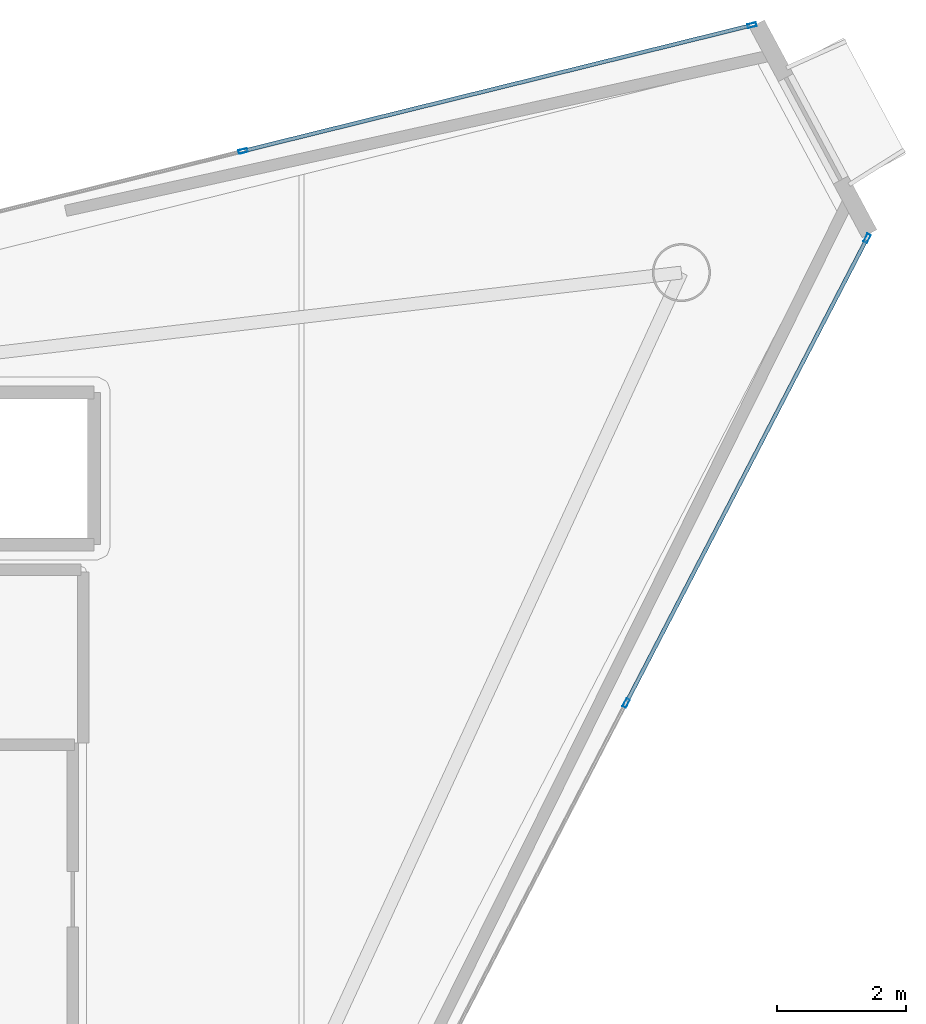
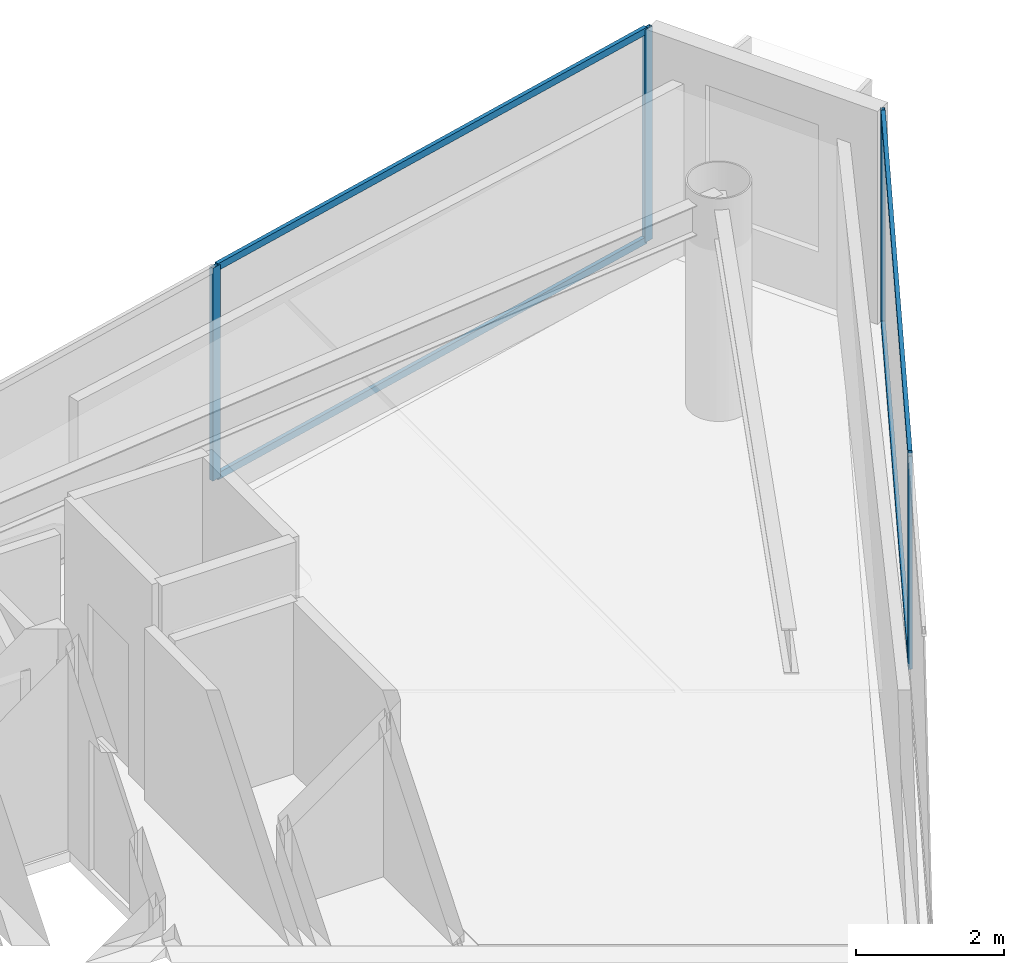
# One storey, part 16 of 21: 8 members, 2 elements without a shape of their own.
"""IFC4 building model written with IfcOpenShell, lengths in metres."""

from ifc_helpers import new_model, si_unit, direction, frame, origin, origin_2d, place, context, subcontext, project, spatial, hollow_rectangle, extrude, material, layer, layer_set, material_profile, profile_set, type_object, element, aggregate, save


model = new_model("IFC4")

# Units and contexts
model_context = context("Model", 3, precision=1e-05, world=origin(), true_north=direction((0.0, 1.0)))
body_context = subcontext(model_context, "Body", "Model", "MODEL_VIEW")
ifc_project = project(units=[si_unit("LENGTHUNIT", "METRE"), si_unit("AREAUNIT", "SQUARE_METRE"), si_unit("VOLUMEUNIT", "CUBIC_METRE"), si_unit("PLANEANGLEUNIT", "RADIAN"), si_unit("MASSUNIT", "GRAM", prefix="KILO")], contexts=[model_context])

# Site, building, storey
site_placement = place(None, origin())
site = spatial("IfcSite", under=ifc_project, at=site_placement, CompositionType="ELEMENT")
building_placement = place(site_placement, origin())
building = spatial("IfcBuilding", under=site, at=building_placement, Name="Qianvela Tower", CompositionType="ELEMENT")
storey_placement = place(building_placement, frame((0.0, 0.0, 310.199951171875)))
storey = spatial("IfcBuildingStorey", under=building, at=storey_placement, Name="L80", CompositionType="ELEMENT", Elevation=310.199951171875)

# Curtain wall, members
ifc_material_1 = material(Name="Anodised Architectural Aluminium and Low-E Glass", Category="aluminium")
ifc_layer = layer(ifc_material_1, 0.14990234375)
ifc_layer_set = layer_set([ifc_layer], Name="Anodised Architectural Aluminium and Low-E Glass")
curtain_wall_type = type_object("IfcCurtainWallType", Name="CW-COLIV-Z78", PredefinedType="USERDEFINED", material=ifc_layer_set)
curtain_wall_1_placement = place(storey_placement, origin())
curtain_wall_1 = element("IfcCurtainWall", 1, at=curtain_wall_1_placement, inside=storey, type_object=curtain_wall_type, Name="L80 CW-COLIV-Z78 Curtain Wall 02A", ObjectType="CURTAIN_WALL_SYSTEM", PredefinedType="USERDEFINED")
ifc_material_2 = material(Name="Anodised Architectural Aluminium 6063-T6", Category="aluminium")
ifc_material_profile_1 = material_profile(ifc_material_2, hollow_rectangle(XDim=0.06005859375, YDim=0.139892578125, WallThickness=0.00439453125, at=origin_2d()), Name="ALU-MULL-60x140")
ifc_profile_set_1 = profile_set([ifc_material_profile_1], Name="Anodised Architectural Aluminium 6063-T6")
member_type_1 = type_object("IfcMemberType", Name="CW-COLIV-Z78-MULL", PredefinedType="MULLION", material=ifc_profile_set_1)
member_1_placement = place(storey_placement, frame((53.740478515625, 40.966552734375, 0.0), z_axis=(0.0, 0.0, 1.0), x_axis=(0.240005754043, -0.970771465396, 0.0)))
member_1 = element("IfcMember", 2, at=member_1_placement, type_object=member_type_1, Name="CW-6 mullion 1", PredefinedType="MULLION", context=body_context, shape_type="SweptSolid", body=[
    extrude(hollow_rectangle(XDim=0.06005859375, YDim=0.139892578125, WallThickness=0.00439453125, at=origin_2d()), origin(), (0.0, 0.0, 1.0), 3.52001953125),
])
member_2_placement = place(storey_placement, frame((45.85791015625, 39.017822265625, 0.0), z_axis=(0.0, 0.0, 1.0), x_axis=(0.240005754043, -0.970771465396, 0.0)))
member_2 = element("IfcMember", 3, at=member_2_placement, type_object=member_type_1, Name="CW-6 mullion 2", PredefinedType="MULLION", context=body_context, shape_type="SweptSolid", body=[
    extrude(hollow_rectangle(XDim=0.06005859375, YDim=0.139892578125, WallThickness=0.00439453125, at=origin_2d()), origin(), (0.0, 0.0, 1.0), 3.52001953125),
])

curtain_wall_2_placement = place(storey_placement, origin())
curtain_wall_2 = element("IfcCurtainWall", 4, at=curtain_wall_2_placement, inside=storey, type_object=curtain_wall_type, Name="L80 CW-COLIV-Z78 Curtain Wall 06C", ObjectType="CURTAIN_WALL_SYSTEM", PredefinedType="USERDEFINED")
member_3_placement = place(storey_placement, frame((51.791748046875, 30.467041015625, 0.0), z_axis=(0.0, 0.0, 1.0), x_axis=(-0.887758715367, 0.46030909538, 0.0)))
member_3 = element("IfcMember", 5, at=member_3_placement, type_object=member_type_1, Name="CW-6 mullion 2", PredefinedType="MULLION", context=body_context, shape_type="SweptSolid", body=[
    extrude(hollow_rectangle(XDim=0.06005859375, YDim=0.139892578125, WallThickness=0.00439453125, at=origin_2d()), origin(), (0.0, 0.0, 1.0), 3.52001953125),
])
member_4_placement = place(storey_placement, frame((55.5244140625, 37.666015625, 0.0), z_axis=(0.0, 0.0, 1.0), x_axis=(-0.887758715367, 0.46030909538, 0.0)))
member_4 = element("IfcMember", 6, at=member_4_placement, type_object=member_type_1, Name="CW-6 mullion 3", PredefinedType="MULLION", context=body_context, shape_type="SweptSolid", body=[
    extrude(hollow_rectangle(XDim=0.06005859375, YDim=0.139892578125, WallThickness=0.00439453125, at=origin_2d()), origin(), (0.0, 0.0, 1.0), 3.52001953125),
])

# Member
ifc_material_3 = material(Name="Anodised Architectural Aluminium 6063-T6", Category="aluminium")
ifc_material_profile_2 = material_profile(ifc_material_3, hollow_rectangle(XDim=0.06005859375, YDim=0.114990234375, WallThickness=0.00390625, at=origin_2d()), Name="ALU-TRAN-60x115")
ifc_profile_set_2 = profile_set([ifc_material_profile_2], Name="Anodised Architectural Aluminium 6063-T6")
member_type_2 = type_object("IfcMemberType", Name="CW-COLIV-Z78-TRAN", PredefinedType="USERDEFINED", material=ifc_profile_set_2)
member_5_placement = place(storey_placement, frame((53.71142578125, 40.95947265625, 0.030029296875), z_axis=(-0.970768203487, -0.240018947375, 0.0), x_axis=(0.240018947375, -0.970768203487, 0.0)))
member_5 = element("IfcMember", 7, at=member_5_placement, type_object=member_type_2, Name="CW-6 transom 1.1", ObjectType="TRANSOM", PredefinedType="USERDEFINED", context=body_context, shape_type="SweptSolid", body=[
    extrude(hollow_rectangle(XDim=0.06005859375, YDim=0.114990234375, WallThickness=0.00390625, at=origin_2d()), origin(), (0.0, 0.0, 1.0), 8.06005859375),
])

member_6_placement = place(storey_placement, frame((53.71142578125, 40.95947265625, 3.489990234375), z_axis=(-0.970768203487, -0.240018947375, 0.0), x_axis=(0.240018947375, -0.970768203487, 0.0)))
member_6 = element("IfcMember", 8, at=member_6_placement, type_object=member_type_2, Name="CW-6 transom 1.2", ObjectType="TRANSOM", PredefinedType="USERDEFINED", context=body_context, shape_type="SweptSolid", body=[
    extrude(hollow_rectangle(XDim=0.06005859375, YDim=0.114990234375, WallThickness=0.00390625, at=origin_2d()), origin(), (0.0, 0.0, 1.0), 8.06005859375),
])

aggregate(curtain_wall_1, [member_1, member_2, member_5, member_6])

member_7_placement = place(storey_placement, frame((51.805419921875, 30.49365234375, 0.030029296875), z_axis=(0.460304769647, 0.887760958277, 0.0), x_axis=(-0.887760958277, 0.460304769647, 0.0)))
member_7 = element("IfcMember", 9, at=member_7_placement, type_object=member_type_2, Name="CW-6 transom 2.1", ObjectType="TRANSOM", PredefinedType="USERDEFINED", context=body_context, shape_type="SweptSolid", body=[
    extrude(hollow_rectangle(XDim=0.06005859375, YDim=0.114990234375, WallThickness=0.00390625, at=origin_2d()), origin(), (0.0, 0.0, 1.0), 8.049072265625),
])

member_8_placement = place(storey_placement, frame((51.805419921875, 30.49365234375, 3.489990234375), z_axis=(0.460304769647, 0.887760958277, 0.0), x_axis=(-0.887760958277, 0.460304769647, 0.0)))
member_8 = element("IfcMember", 10, at=member_8_placement, type_object=member_type_2, Name="CW-6 transom 2.2", ObjectType="TRANSOM", PredefinedType="USERDEFINED", context=body_context, shape_type="SweptSolid", body=[
    extrude(hollow_rectangle(XDim=0.06005859375, YDim=0.114990234375, WallThickness=0.00390625, at=origin_2d()), origin(), (0.0, 0.0, 1.0), 8.049072265625),
])

aggregate(curtain_wall_2, [member_3, member_4, member_7, member_8])

save(model, "model.ifc")
